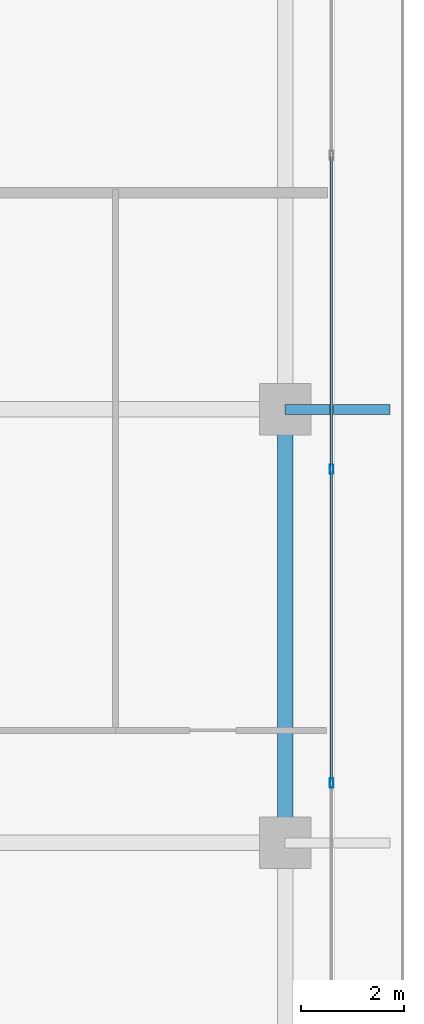
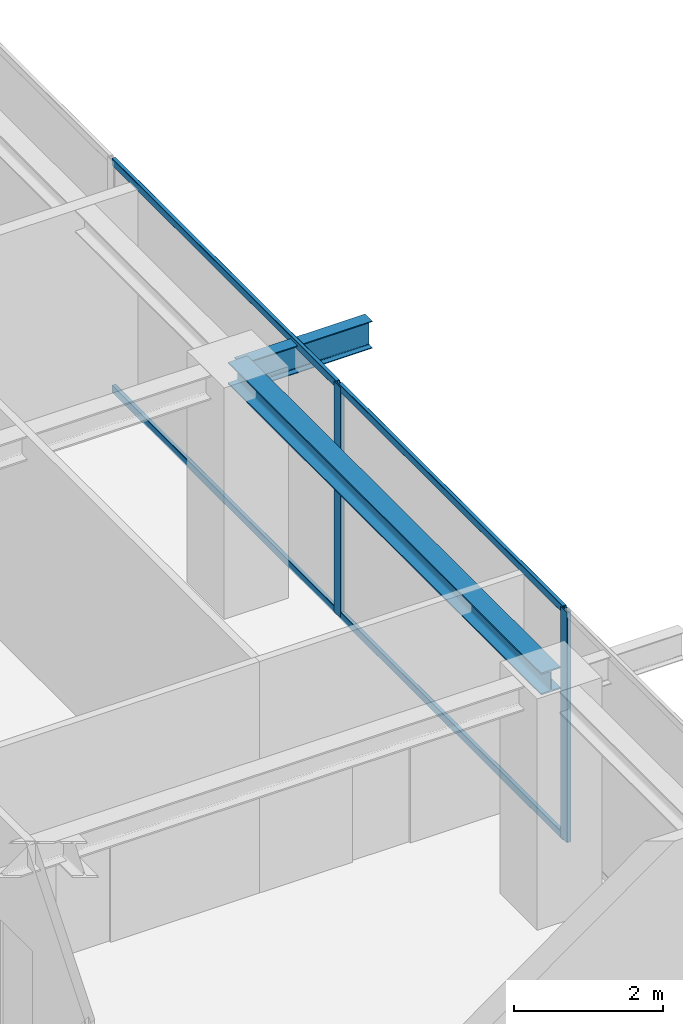
# One storey, part 15 of 37: 6 members, 2 beams, 1 element without a shape of its own.
"""IFC4 building model written with IfcOpenShell, lengths in metres."""

import ifcopenshell
import ifcopenshell.guid

model = None  # the IFC model being written
_history = None  # IfcOwnerHistory: only IFC2X3 demands one
_inside = {}  # id of a spatial element -> (the spatial element, [elements in it])
_under = {}  # id of a project, library or spatial element -> (it, [spatial elements below it])
_declared = {}  # id of a project -> (the project, [libraries it declares])
_typed = {}  # id of a type object -> (the type object, [elements of that type])
_made_of = {}  # id of a material, layer set ... -> (it, [elements and type objects made of it])


def new_model(schema):
    """Start an empty IFC model of exactly this schema.

    Asked for "IFC4X3", IfcOpenShell would pick the latest addendum, in which some entities
    have other attributes; the version numbers below select the first issue.
    IFC2X3 requires an IfcOwnerHistory on every rooted entity: one is made here for all.
    """
    global model, _history
    if schema == "IFC4X3":
        model = ifcopenshell.file(schema_version=(4, 3, 0, 0))
    else:
        model = ifcopenshell.file(schema=schema)
    _inside.clear()
    _under.clear()
    _declared.clear()
    _typed.clear()
    _made_of.clear()
    _history = None
    if model.schema == "IFC2X3":
        org = make("IfcOrganization", Name="unknown")
        user = make(
            "IfcPersonAndOrganization",
            ThePerson=make("IfcPerson", FamilyName="unknown"),
            TheOrganization=org,
        )
        app = make(
            "IfcApplication",
            ApplicationDeveloper=org,
            Version="unknown",
            ApplicationFullName="unknown",
            ApplicationIdentifier="unknown",
        )
        _history = make(
            "IfcOwnerHistory",
            OwningUser=user,
            OwningApplication=app,
            ChangeAction="ADDED",
            CreationDate=0,
        )
    return model


def make(cls, **values):
    """One entity of the class cls with the attributes given. An attribute that is None is left unset."""
    return model.create_entity(
        cls, **{name: value for name, value in values.items() if value is not None}
    )


def rooted(cls, **values):
    """An entity with a GlobalId (a new one), such as an element, a storey or a relation."""
    return make(cls, GlobalId=ifcopenshell.guid.new(), OwnerHistory=_history, **values)


def si_unit(unit_type, name, prefix=None):
    """IfcSIUnit, for example si_unit("LENGTHUNIT", "METRE", prefix="MILLI")."""
    return make("IfcSIUnit", UnitType=unit_type, Prefix=prefix, Name=name)


def assignment(units):
    """IfcUnitAssignment: the units of a project."""
    return None if units is None else make("IfcUnitAssignment", Units=units)


def point(xyz):
    """IfcCartesianPoint."""
    return None if xyz is None else make("IfcCartesianPoint", Coordinates=xyz)


def direction(xyz):
    """IfcDirection."""
    return None if xyz is None else make("IfcDirection", DirectionRatios=xyz)


def frame(location, z_axis=None, x_axis=None):
    """IfcAxis2Placement3D, a coordinate frame: its origin and axes. An axis left out is left unset."""
    return make(
        "IfcAxis2Placement3D",
        Location=point(location),
        Axis=direction(z_axis),
        RefDirection=direction(x_axis),
    )


def frame_2d(location, x_axis=None):
    """IfcAxis2Placement2D, a coordinate frame in the plane: its origin and x axis."""
    return make(
        "IfcAxis2Placement2D", Location=point(location), RefDirection=direction(x_axis)
    )


def origin():
    """The frame at (0, 0, 0) with its axes left unset."""
    return frame((0.0, 0.0, 0.0))


def origin_2d():
    """The frame at (0, 0) in the plane with its x axis left unset."""
    return frame_2d((0.0, 0.0))


def place(relative_to, where):
    """IfcLocalPlacement: puts the frame where relative to a parent placement (None: the world)."""
    return make(
        "IfcLocalPlacement", PlacementRelTo=relative_to, RelativePlacement=where
    )


def context(
    kind, dimensions, precision=None, world=None, true_north=None, identifier=None
):
    """IfcGeometricRepresentationContext, for example the 3D "Model" context."""
    return make(
        "IfcGeometricRepresentationContext",
        ContextIdentifier=identifier,
        ContextType=kind,
        CoordinateSpaceDimension=dimensions,
        Precision=precision,
        WorldCoordinateSystem=world,
        TrueNorth=true_north,
    )


def subcontext(parent, identifier, kind, view, scale=None):
    """IfcGeometricRepresentationSubContext, for example "Body" below "Model"."""
    return make(
        "IfcGeometricRepresentationSubContext",
        ContextIdentifier=identifier,
        ContextType=kind,
        ParentContext=parent,
        TargetScale=scale,
        TargetView=view,
    )


def project(units=None, contexts=None):
    """IfcProject with its units and contexts."""
    return rooted(
        "IfcProject",
        Name="project",
        RepresentationContexts=contexts,
        UnitsInContext=assignment(units),
    )


def spatial(cls, under=None, at=None, **own):
    """A site, building, storey or space (cls), placed at a placement, below another one or the project."""
    s = rooted(cls, ObjectPlacement=at, **own)
    if under is not None:
        _under.setdefault(under.id(), (under, []))[1].append(s)
    return s


def profile(cls, at=None, kind="AREA", **sizes):
    """A parametric profile (cls). Its sizes go by their IFC names, for example OverallWidth=200.0."""
    return make(cls, ProfileType=kind, Position=at, **sizes)


def hollow_rectangle(**sizes):
    """IfcRectangleHollowProfileDef."""
    return profile("IfcRectangleHollowProfileDef", **sizes)


def i_section(**sizes):
    """IfcIShapeProfileDef."""
    return profile("IfcIShapeProfileDef", **sizes)


def extrude(swept, where, along, depth):
    """IfcExtrudedAreaSolid: the profile swept, set in the frame where, extruded along a direction by depth."""
    return make(
        "IfcExtrudedAreaSolid",
        SweptArea=swept,
        Position=where,
        ExtrudedDirection=direction(along),
        Depth=depth,
    )


def shape(context_of_items, identifier, shape_type, items):
    """IfcShapeRepresentation: the items that make up one representation, for example the "Body"."""
    return make(
        "IfcShapeRepresentation",
        ContextOfItems=context_of_items,
        RepresentationIdentifier=identifier,
        RepresentationType=shape_type,
        Items=items,
    )


def source(mapping_origin, context_of_items, identifier, shape_type, items):
    """IfcRepresentationMap: a shape defined once, which mapped items show again and again."""
    return make(
        "IfcRepresentationMap",
        MappingOrigin=mapping_origin,
        MappedRepresentation=shape(context_of_items, identifier, shape_type, items),
    )


def transform(
    local_origin,
    x_axis=None,
    y_axis=None,
    z_axis=None,
    scale=None,
    scale2=None,
    scale3=None,
    uniform=True,
):
    """IfcCartesianTransformationOperator3D, or its non-uniform kind. x_axis, y_axis, z_axis: its Axis1, 2, 3."""
    if uniform:
        return make(
            "IfcCartesianTransformationOperator3D",
            Axis1=direction(x_axis),
            Axis2=direction(y_axis),
            LocalOrigin=point(local_origin),
            Scale=scale,
            Axis3=direction(z_axis),
        )
    return make(
        "IfcCartesianTransformationOperator3DnonUniform",
        Axis1=direction(x_axis),
        Axis2=direction(y_axis),
        LocalOrigin=point(local_origin),
        Scale=scale,
        Axis3=direction(z_axis),
        Scale2=scale2,
        Scale3=scale3,
    )


def mapped(mapping_source, mapping_target):
    """IfcMappedItem: shows the shape of a source again, moved by a transform."""
    return make(
        "IfcMappedItem", MappingSource=mapping_source, MappingTarget=mapping_target
    )


def material(Name=None, Category=None):
    """IfcMaterial."""
    return make("IfcMaterial", Name=Name, Category=Category)


def layer(
    of_material, thickness, ventilated=None, Name=None, Category=None, Priority=None
):
    """IfcMaterialLayer: one layer of a wall or slab, of a material (None: an air gap)."""
    return make(
        "IfcMaterialLayer",
        Material=of_material,
        LayerThickness=thickness,
        IsVentilated=ventilated,
        Name=Name,
        Category=Category,
        Priority=Priority,
    )


def layer_set(layers, Name=None):
    """IfcMaterialLayerSet."""
    return make("IfcMaterialLayerSet", MaterialLayers=layers, LayerSetName=Name)


def material_profile(
    of_material, cross_section, Name=None, Category=None, Priority=None
):
    """IfcMaterialProfile: a cross section and its material."""
    return make(
        "IfcMaterialProfile",
        Name=Name,
        Material=of_material,
        Profile=cross_section,
        Priority=Priority,
        Category=Category,
    )


def profile_set(profiles, Name=None, composite=None):
    """IfcMaterialProfileSet."""
    return make(
        "IfcMaterialProfileSet",
        Name=Name,
        MaterialProfiles=profiles,
        CompositeProfile=composite,
    )


def made_of(thing, what):
    """Note that an element or type object is made of a material, layer set ...; save() writes the relation."""
    if what is not None:
        _made_of.setdefault(what.id(), (what, []))[1].append(thing)
    return thing


def type_object(cls, material=None, **own):
    """A type object (cls), such as IfcWallType, which elements share."""
    return made_of(rooted(cls, **own), material)


def element(
    cls,
    number,
    at=None,
    inside=None,
    cuts=None,
    type_object=None,
    material=None,
    context=None,
    identifier="Body",
    shape_type=None,
    held_by="IfcProductDefinitionShape",
    body=None,
    shapes=None,
    **own,
):
    """One element of the class cls, such as IfcWall. Its Tag is "e" and its number.

    at: its placement. inside: the storey or other place that contains it. cuts: it is an
    opening in that element (IfcRelVoidsElement). A single representation is given by context,
    identifier, shape_type and body (its items); several are given by shapes. held_by: the class
    of the entity that holds the representations. save() writes the other relations.
    """
    e = rooted(cls, Tag="e%d" % number, ObjectPlacement=at, **own)
    if body is not None:
        shapes = [shape(context, identifier, shape_type, body)]
    if shapes is not None:
        e.Representation = make(held_by, Representations=shapes)
    if inside is not None:
        _inside.setdefault(inside.id(), (inside, []))[1].append(e)
    if cuts is not None:
        rooted(
            "IfcRelVoidsElement", RelatingBuildingElement=cuts, RelatedOpeningElement=e
        )
    if type_object is not None:
        _typed.setdefault(type_object.id(), (type_object, []))[1].append(e)
    return made_of(e, material)


def aggregate(whole, parts):
    """IfcRelAggregates: a whole, such as a stair, and the parts it consists of."""
    return rooted("IfcRelAggregates", RelatingObject=whole, RelatedObjects=parts)


def save(model, path):
    """Write the relations noted so far, then the file.

    IfcRelAggregates (storeys below a building ...), IfcRelContainedInSpatialStructure (elements
    in a storey), IfcRelDefinesByType, IfcRelAssociatesMaterial and IfcRelDeclares: one each for
    every whole, place, type object, material and project.
    """
    for whole, parts in _under.values():
        aggregate(whole, parts)
    for where, things in _inside.values():
        rooted(
            "IfcRelContainedInSpatialStructure",
            RelatedElements=things,
            RelatingStructure=where,
        )
    for kind, things in _typed.values():
        rooted("IfcRelDefinesByType", RelatedObjects=things, RelatingType=kind)
    for what, things in _made_of.values():
        rooted("IfcRelAssociatesMaterial", RelatedObjects=things, RelatingMaterial=what)
    for by, libraries in _declared.values():
        rooted("IfcRelDeclares", RelatingContext=by, RelatedDefinitions=libraries)
    model.write(path)


model = new_model("IFC4")

# Units and contexts
model_context = context("Model", 3, precision=1e-05, world=origin(), true_north=direction((0.0, 1.0)))
body_context = subcontext(model_context, "Body", "Model", "MODEL_VIEW")
ifc_project = project(units=[si_unit("LENGTHUNIT", "METRE"), si_unit("AREAUNIT", "SQUARE_METRE"), si_unit("VOLUMEUNIT", "CUBIC_METRE"), si_unit("PLANEANGLEUNIT", "RADIAN"), si_unit("MASSUNIT", "GRAM", prefix="KILO")], contexts=[model_context])

# Site, building, storey
site_placement = place(None, origin())
site = spatial("IfcSite", under=ifc_project, at=site_placement, CompositionType="ELEMENT")
building_placement = place(site_placement, origin())
building = spatial("IfcBuilding", under=site, at=building_placement, Name="Serunith Strait Residences", CompositionType="ELEMENT")
storey_placement = place(building_placement, frame((0.0, 0.0, 317.75)))
storey = spatial("IfcBuildingStorey", under=building, at=storey_placement, Name="L79", CompositionType="ELEMENT", Elevation=317.75)

# Beams
ifc_material_1 = material(Name="Steel S355J2", Category="steel")
ifc_material_profile_1 = material_profile(ifc_material_1, i_section(OverallWidth=0.300048828125, OverallDepth=0.360107421875, WebThickness=0.012451171875, FlangeThickness=0.0224609375, FilletRadius=0.027099609375, at=origin_2d()), Name="HEB 360")
ifc_profile_set_1 = profile_set([ifc_material_profile_1], Name="Steel S355J2")
beam_type_1 = type_object("IfcBeamType", Name="BM-HEB360", PredefinedType="BEAM", material=ifc_profile_set_1)
shared_shape_1 = source(origin(), body_context, "Body", "SweptSolid", [
    extrude(i_section(OverallWidth=0.300048828125, OverallDepth=0.360107421875, WebThickness=0.012451171875, FlangeThickness=0.0224609375, FilletRadius=0.027099609375, at=origin_2d()), origin(), (0.0, 0.0, 1.0), 8.39990234375),
])
beam_1_placement = place(storey_placement, frame((54.699951171875, 21.0, 3.60693359375), z_axis=(0.0, 1.0, 0.0), x_axis=(-1.0, 0.0, 0.0)))
element("IfcBeam", 1, at=beam_1_placement, inside=storey, type_object=beam_type_1, Name="L79 Perimeter Ring Beam 06", PredefinedType="BEAM", context=body_context, shape_type="MappedRepresentation", body=[
    mapped(shared_shape_1, transform((0.0, 0.0, 0.0), scale=1.0)),
])
ifc_material_profile_2 = material_profile(ifc_material_1, i_section(OverallWidth=0.18994140625, OverallDepth=0.449951171875, WebThickness=0.009521484375, FlangeThickness=0.0146484375, FilletRadius=0.02099609375, at=origin_2d()), Name="IPE 450")
ifc_profile_set_2 = profile_set([ifc_material_profile_2], Name="Steel S355J2")
beam_type_2 = type_object("IfcBeamType", Name="BM-IPE450", PredefinedType="JOIST", material=ifc_profile_set_2)
shared_shape_2 = source(origin(), body_context, "Body", "SweptSolid", [
    extrude(i_section(OverallWidth=0.18994140625, OverallDepth=0.449951171875, WebThickness=0.009521484375, FlangeThickness=0.0146484375, FilletRadius=0.02099609375, at=origin_2d()), origin(), (0.0, 0.0, 1.0), 2.030029296875),
])
beam_2_placement = place(storey_placement, frame((54.699951171875, 29.39990234375, 3.531982421875), z_axis=(1.0, 0.0, 0.0), x_axis=(0.0, 1.0, 0.0)))
element("IfcBeam", 2, at=beam_2_placement, inside=storey, type_object=beam_type_2, Name="L80 Cantilevered Balcony Rib TC-E3", PredefinedType="JOIST", context=body_context, shape_type="MappedRepresentation", body=[
    mapped(shared_shape_2, transform((0.0, 0.0, 0.0), scale=1.0)),
])

# Curtain wall, members
ifc_material_2 = material(Name="Brushed Stainless-Silver Aluminium", Category="aluminium")
ifc_layer = layer(ifc_material_2, 0.199951171875, Name="Brushed Stainless-Silver Aluminium")
ifc_layer_set = layer_set([ifc_layer], Name="Brushed Stainless-Silver Aluminium")
curtain_wall_type = type_object("IfcCurtainWallType", Name="CW-SYS5", PredefinedType="NOTDEFINED", material=ifc_layer_set)
curtain_wall_placement = place(storey_placement, origin())
curtain_wall = element("IfcCurtainWall", 3, at=curtain_wall_placement, inside=storey, type_object=curtain_wall_type, Name="L79 E Unitised Fritted Curtain Wall", PredefinedType="NOTDEFINED")
ifc_material_profile_3 = material_profile(ifc_material_2, hollow_rectangle(XDim=0.06005859375, YDim=0.1201171875, WallThickness=0.00341796875, InnerFilletRadius=0.00537109375, OuterFilletRadius=0.0087890625, at=origin_2d()), Name="ALU 120x60x3.5")
ifc_profile_set_3 = profile_set([ifc_material_profile_3], Name="Brushed Stainless-Silver Aluminium")
member_type_1 = type_object("IfcMemberType", Name="CW-SYS5-TRAN", PredefinedType="USERDEFINED", material=ifc_profile_set_3)
shared_shape_3 = source(origin(), body_context, "Body", "SweptSolid", [
    extrude(hollow_rectangle(XDim=0.06005859375, YDim=0.1201171875, WallThickness=0.00341796875, InnerFilletRadius=0.00537109375, OuterFilletRadius=0.0087890625, at=origin_2d()), origin(), (0.0, 0.0, 1.0), 6.01513671875),
])
member_1_placement = place(storey_placement, frame((55.60009765625, 22.1923828125, 0.030029296875), z_axis=(0.0, 1.0, 0.0), x_axis=(-1.0, 0.0, 0.0)))
member_1 = element("IfcMember", 4, at=member_1_placement, type_object=member_type_1, Name="CW-5 transom 3.1", ObjectType="TRANSOM", PredefinedType="USERDEFINED", context=body_context, shape_type="MappedRepresentation", body=[
    mapped(shared_shape_3, transform((0.0, 0.0, 0.0), scale=1.0)),
])
member_2_placement = place(storey_placement, frame((55.60009765625, 22.1923828125, 3.7451171875), z_axis=(0.0, 1.0, 0.0), x_axis=(-1.0, 0.0, 0.0)))
member_2 = element("IfcMember", 5, at=member_2_placement, type_object=member_type_1, Name="CW-5 transom 3.2", ObjectType="TRANSOM", PredefinedType="USERDEFINED", context=body_context, shape_type="MappedRepresentation", body=[
    mapped(shared_shape_3, transform((0.0, 0.0, 0.0), scale=1.0)),
])
member_3_placement = place(storey_placement, frame((55.60009765625, 28.2724609375, 0.030029296875), z_axis=(0.0, 1.0, 0.0), x_axis=(-1.0, 0.0, 0.0)))
member_3 = element("IfcMember", 6, at=member_3_placement, type_object=member_type_1, Name="CW-5 transom 4.1", ObjectType="TRANSOM", PredefinedType="USERDEFINED", context=body_context, shape_type="MappedRepresentation", body=[
    mapped(shared_shape_3, transform((0.0, 0.0, 0.0), scale=1.0)),
])
member_4_placement = place(storey_placement, frame((55.60009765625, 28.2724609375, 3.7451171875), z_axis=(0.0, 1.0, 0.0), x_axis=(-1.0, 0.0, 0.0)))
member_4 = element("IfcMember", 7, at=member_4_placement, type_object=member_type_1, Name="CW-5 transom 4.2", ObjectType="TRANSOM", PredefinedType="USERDEFINED", context=body_context, shape_type="MappedRepresentation", body=[
    mapped(shared_shape_3, transform((0.0, 0.0, 0.0), scale=1.0)),
])
ifc_material_profile_4 = material_profile(ifc_material_2, hollow_rectangle(XDim=0.06494140625, YDim=0.179931640625, WallThickness=0.00341796875, InnerFilletRadius=0.00537109375, OuterFilletRadius=0.0087890625, at=origin_2d()), Name="ALU 180x65x3.5")
ifc_profile_set_4 = profile_set([ifc_material_profile_4], Name="Brushed Stainless-Silver Aluminium")
member_type_2 = type_object("IfcMemberType", Name="CW-SYS5-MULL", PredefinedType="MULLION", material=ifc_profile_set_4)
shared_shape_4 = source(origin(), body_context, "Body", "SweptSolid", [
    extrude(hollow_rectangle(XDim=0.06494140625, YDim=0.179931640625, WallThickness=0.00341796875, InnerFilletRadius=0.00537109375, OuterFilletRadius=0.0087890625, at=origin_2d()), origin(), (0.0, 0.0, 1.0), 3.77490234375),
])
member_5_placement = place(storey_placement, frame((55.60009765625, 22.159912109375, 0.0), z_axis=(0.0, 0.0, 1.0), x_axis=(-1.0, 0.0, 0.0)))
member_5 = element("IfcMember", 8, at=member_5_placement, type_object=member_type_2, Name="CW-5 mullion 3", PredefinedType="MULLION", context=body_context, shape_type="MappedRepresentation", body=[
    mapped(shared_shape_4, transform((0.0, 0.0, 0.0), scale=1.0)),
])
member_6_placement = place(storey_placement, frame((55.60009765625, 28.239990234375, 0.0), z_axis=(0.0, 0.0, 1.0), x_axis=(-1.0, 0.0, 0.0)))
member_6 = element("IfcMember", 9, at=member_6_placement, type_object=member_type_2, Name="CW-5 mullion 4", PredefinedType="MULLION", context=body_context, shape_type="MappedRepresentation", body=[
    mapped(shared_shape_4, transform((0.0, 0.0, 0.0), scale=1.0)),
])
aggregate(curtain_wall, [member_5, member_6, member_1, member_2, member_3, member_4])

save(model, "model.ifc")
